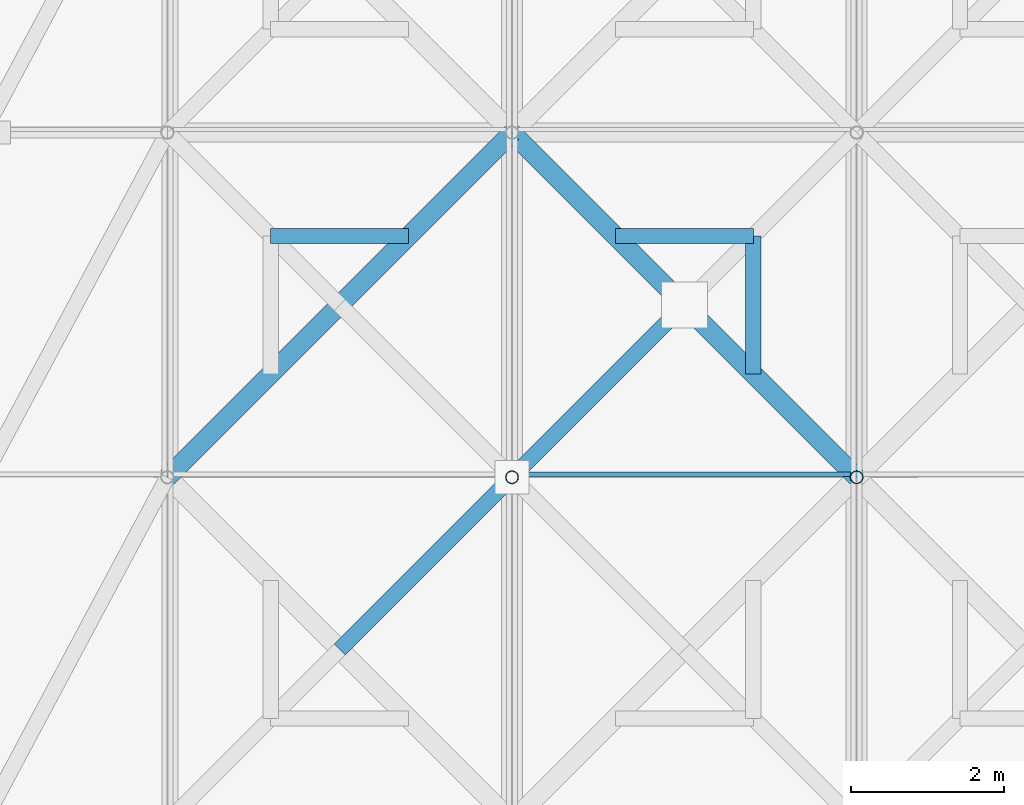
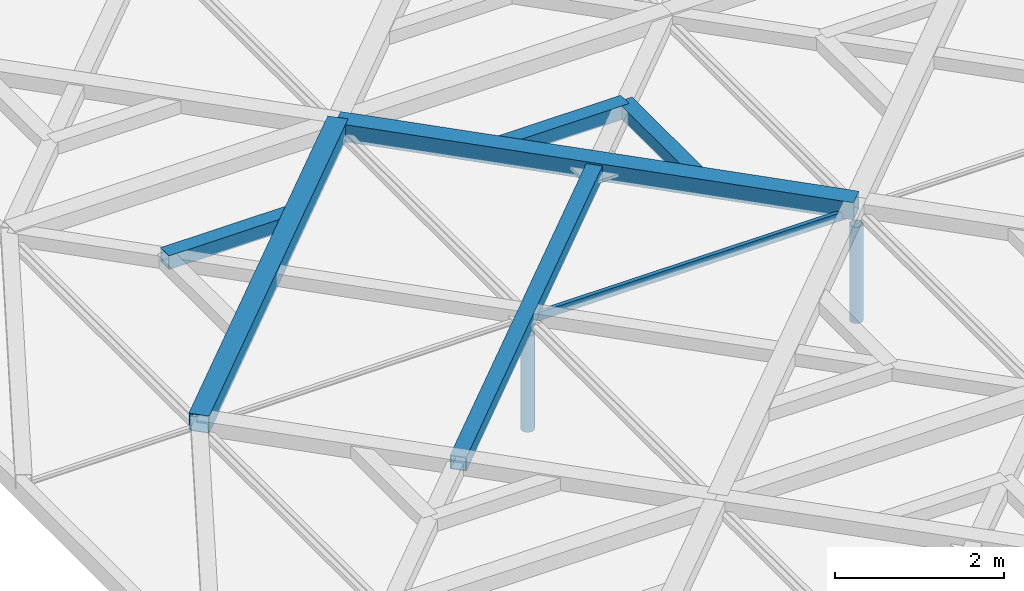
# One storey, part 14 of 80: 9 members, 1 element without a shape of its own.
"""IFC4 building model written with IfcOpenShell, lengths in metres."""

from ifc_helpers import new_model, si_unit, direction, frame, origin, origin_2d, place, context, subcontext, project, spatial, rectangle, hollow_rectangle, hollow_circle, extrude, material, material_profile, profile_set, type_object, element, aggregate, save


model = new_model("IFC4")

# Units and contexts
model_context = context("Model", 3, precision=1e-05, world=origin(), true_north=direction((0.0, 1.0)))
body_context = subcontext(model_context, "Body", "Model", "MODEL_VIEW")
ifc_project = project(units=[si_unit("LENGTHUNIT", "METRE"), si_unit("AREAUNIT", "SQUARE_METRE"), si_unit("VOLUMEUNIT", "CUBIC_METRE"), si_unit("PLANEANGLEUNIT", "RADIAN"), si_unit("MASSUNIT", "GRAM", prefix="KILO"), si_unit("THERMODYNAMICTEMPERATUREUNIT", "KELVIN"), si_unit("POWERUNIT", "WATT")], contexts=[model_context])

# Site, building, storey
site_placement = place(None, origin())
site = spatial("IfcSite", under=ifc_project, at=site_placement, CompositionType="ELEMENT")
building_placement = place(site_placement, origin())
building = spatial("IfcBuilding", under=site, at=building_placement, Name="Tallowbark Science Centre", CompositionType="ELEMENT")
storey_placement = place(building_placement, frame((0.0, 0.0, 25.949951171875)))
storey = spatial("IfcBuildingStorey", under=building, at=storey_placement, Name="ROOF", CompositionType="ELEMENT", Elevation=25.949951171875)

# Curtain wall, member
ifc_material_1 = material(Name="Blue-Tinted Laminated Low-E Skylight Glass", Category="glass")
curtain_wall_type = type_object("IfcCurtainWallType", Name="CW-SKY-ROOF", PredefinedType="NOTDEFINED", material=ifc_material_1)
curtain_wall_placement = place(storey_placement, origin())
curtain_wall = element("IfcCurtainWall", 1, at=curtain_wall_placement, inside=storey, type_object=curtain_wall_type, Name="Exhibition Star-Screen Skylight Bay 3", PredefinedType="NOTDEFINED")
ifc_material_2 = material(Name="Anodised Architectural Aluminium Alloy 6063-T6", Category="aluminium")
ifc_material_profile_1 = material_profile(ifc_material_2, rectangle(XDim=0.054931640625, YDim=0.1201171875, at=origin_2d()), Name="ALU55x120")
ifc_profile_set_1 = profile_set([ifc_material_profile_1], Name="Anodised Architectural Aluminium Alloy 6063-T6")
member_type_1 = type_object("IfcMemberType", Name="CWM-SKY-TRN", PredefinedType="USERDEFINED", material=ifc_profile_set_1)
member_1_placement = place(storey_placement, frame((63.080078125, 27.0400390625, 0.35205078125), z_axis=(1.0, 0.0, 0.0), x_axis=(0.0, 1.0, 0.0)))
member_1 = element("IfcMember", 2, at=member_1_placement, type_object=member_type_1, Name="Skylight Bay 3 Transom 7", ObjectType="TRANSOM", PredefinedType="USERDEFINED", context=body_context, shape_type="SweptSolid", body=[
    extrude(rectangle(XDim=0.054931640625, YDim=0.1201171875, at=origin_2d()), origin(), (0.0, 0.0, 1.0), 4.33984375),
])
aggregate(curtain_wall, [member_1])

# Members
ifc_material_3 = material(Name="White Architectural Painted Steel Grade C350L0 (350 MPa)", Category="steel")
ifc_material_profile_2 = material_profile(ifc_material_3, hollow_rectangle(XDim=0.25, YDim=0.25, WallThickness=0.009033203125, at=origin_2d()), Name="250x250x9.0SHS")
ifc_profile_set_2 = profile_set([ifc_material_profile_2], Name="White Architectural Painted Steel Grade C350L0 (350 MPa)")
member_type_2 = type_object("IfcMemberType", Name="SCR-CHD200", PredefinedType="CHORD", material=ifc_profile_set_2)
for number, where, z_axis, x_axis, name in (
    (3, (67.5, 27.0, 0.449951171875), (-0.707106781187, 0.707106781187, 0.0), (-0.707106781187, -0.707106781187, 0.0), "Star Screen Octagram Diamond Chord TOP-56-2"),
    (4, (63.0, 31.5, 0.449951171875), (-0.707106781187, -0.707106781187, 0.0), (0.707106781187, -0.707106781187, 0.0), "Star Screen Octagram Diamond Chord TOP-56-3"),
):
    element("IfcMember", number, at=place(storey_placement, frame(where, z_axis=z_axis, x_axis=x_axis)), inside=storey, type_object=member_type_2, Name=name, PredefinedType="CHORD", context=body_context, shape_type="SweptSolid", body=[
        extrude(hollow_rectangle(XDim=0.25, YDim=0.25, WallThickness=0.009033203125, at=origin_2d()), origin(), (0.0, 0.0, 1.0), 6.364013671875),
    ])
ifc_material_profile_3 = material_profile(ifc_material_3, hollow_rectangle(XDim=0.199951171875, YDim=0.199951171875, WallThickness=0.009033203125, at=origin_2d()), Name="200x200x9.0SHS")
ifc_profile_set_3 = profile_set([ifc_material_profile_3], Name="White Architectural Painted Steel Grade C350L0 (350 MPa)")
member_type_3 = type_object("IfcMemberType", Name="SCR-STAR139", PredefinedType="BRACE", material=ifc_profile_set_3)
member_2_placement = place(storey_placement, frame((60.75, 24.75, 0.449951171875), z_axis=(0.707106781187, 0.707106781187, 0.0), x_axis=(-0.707106781187, 0.707106781187, 0.0)))
element("IfcMember", 5, at=member_2_placement, inside=storey, type_object=member_type_3, Name="Star Screen Continuous X-Diagonal D1M TOP-56", PredefinedType="BRACE", context=body_context, shape_type="SweptSolid", body=[
    extrude(hollow_rectangle(XDim=0.199951171875, YDim=0.199951171875, WallThickness=0.009033203125, at=origin_2d()), origin(), (0.0, 0.0, 1.0), 6.364013671875),
])
ifc_material_profile_4 = material_profile(ifc_material_3, hollow_rectangle(XDim=0.199951171875, YDim=0.199951171875, WallThickness=0.009033203125, at=origin_2d()), Name="200x200x9.0SHS")
ifc_profile_set_4 = profile_set([ifc_material_profile_4], Name="White Architectural Painted Steel Grade C350L0 (350 MPa)")
member_type_4 = type_object("IfcMemberType", Name="SCR-SUB150", PredefinedType="BRACE", material=ifc_profile_set_4)
for number, where, z_axis, x_axis, name in (
    (6, (66.14990234375, 30.14990234375, 0.449951171875), (-1.0, 0.0, 0.0), (0.0, -1.0, 0.0), "Star Screen Octagram Point Ray TOP-56-5"),
    (7, (66.14990234375, 30.14990234375, 0.449951171875), (0.0, -1.0, 0.0), (1.0, 0.0, 0.0), "Star Screen Octagram Point Ray TOP-56-6"),
    (8, (59.85009765625, 30.14990234375, 0.449951171875), (1.0, 0.0, 0.0), (0.0, 1.0, 0.0), "Star Screen Octagram Point Ray TOP-56-7"),
):
    element("IfcMember", number, at=place(storey_placement, frame(where, z_axis=z_axis, x_axis=x_axis)), inside=storey, type_object=member_type_4, Name=name, PredefinedType="BRACE", context=body_context, shape_type="SweptSolid", body=[
        extrude(hollow_rectangle(XDim=0.199951171875, YDim=0.199951171875, WallThickness=0.009033203125, at=origin_2d()), origin(), (0.0, 0.0, 1.0), 1.7998046875),
    ])
ifc_material_profile_5 = material_profile(ifc_material_3, hollow_circle(Radius=0.084228515625, WallThickness=0.007080078125, at=origin_2d()), Name="168.3x7.1CHS")
ifc_profile_set_5 = profile_set([ifc_material_profile_5], Name="White Architectural Painted Steel Grade C350L0 (350 MPa)")
member_type_5 = type_object("IfcMemberType", Name="TR-WEB168", PredefinedType="BRACE", material=ifc_profile_set_5)
for number, where, z_axis, x_axis, name in (
    (9, (63.0, 27.0, -1.199951171875), (0.0, 0.0, 1.0), (1.0, 0.0, 0.0), "Exhibition Roof Truss Web 2-27"),
    (10, (67.5, 27.0, -1.199951171875), (0.0, 0.0, 1.0), (1.0, 0.0, 0.0), "Exhibition Roof Truss Web 3-27"),
):
    element("IfcMember", number, at=place(storey_placement, frame(where, z_axis=z_axis, x_axis=x_axis)), inside=storey, type_object=member_type_5, Name=name, PredefinedType="BRACE", context=body_context, shape_type="SweptSolid", body=[
        extrude(hollow_circle(Radius=0.084228515625, WallThickness=0.007080078125, at=origin_2d()), origin(), (0.0, 0.0, 1.0), 1.389892578125),
    ])

save(model, "model.ifc")
